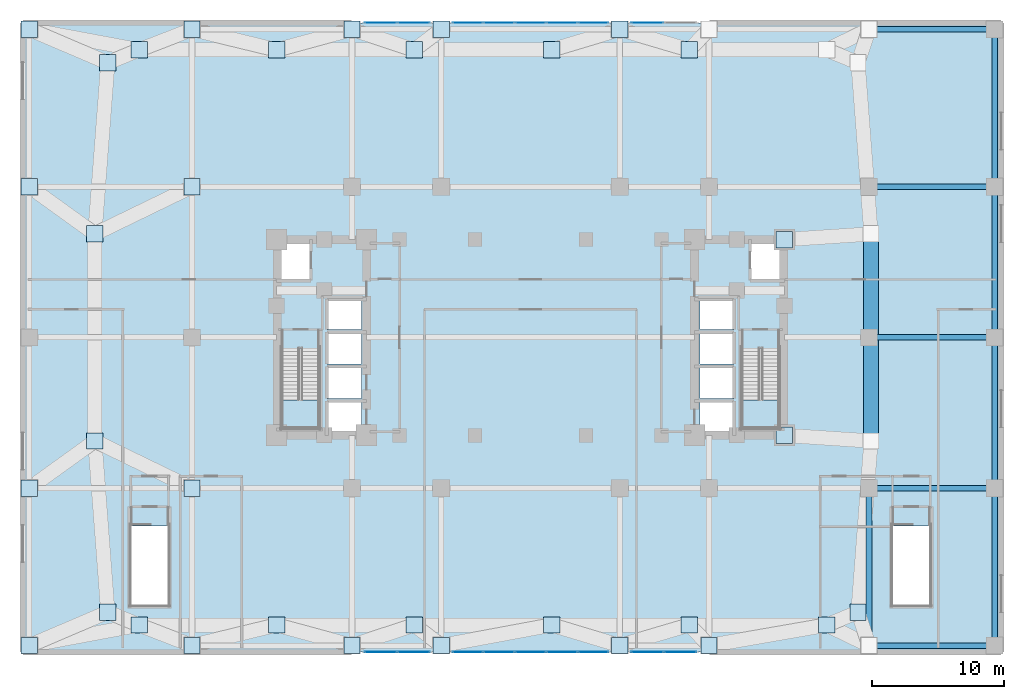
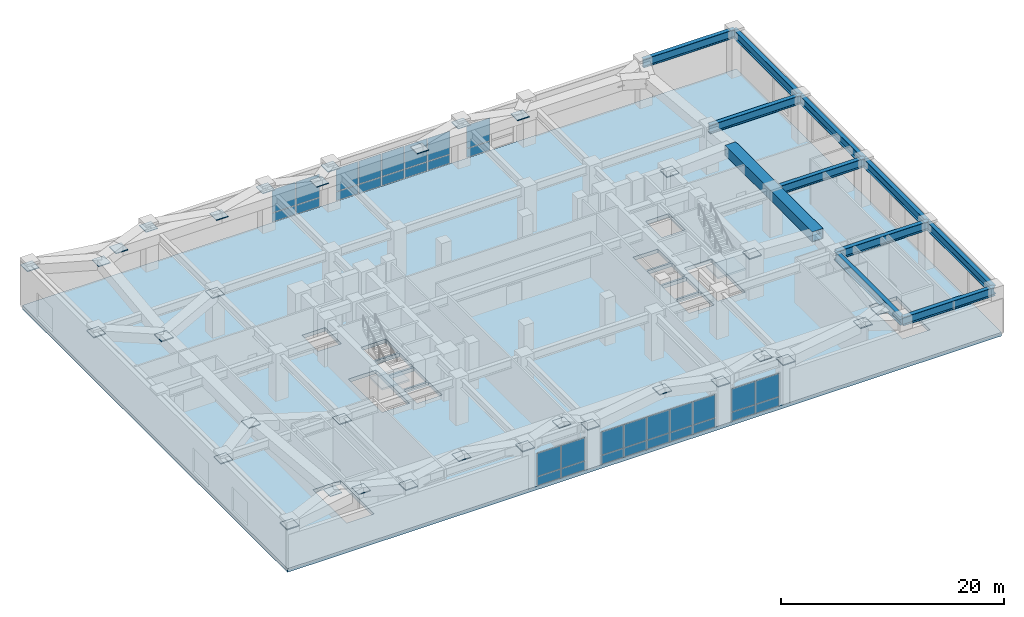
# One storey, part 14 of 20: 67 plates, 11 beams, 3 slabs, 8 elements without a shape of their own.
"""IFC4 building model written with IfcOpenShell, lengths in metres."""

from ifc_helpers import new_model, si_unit, direction, frame, origin, origin_2d, place, context, subcontext, project, spatial, polyline, rectangle, hollow_rectangle, i_section, outline, extrude, material, layer, layer_set, material_profile, profile_set, type_object, element, aggregate, save


model = new_model("IFC4")

# Units and contexts
model_context = context("Model", 3, precision=1e-05, world=origin(), true_north=direction((0.0, 1.0)))
body_context = subcontext(model_context, "Body", "Model", "MODEL_VIEW")
ifc_project = project(units=[si_unit("LENGTHUNIT", "METRE"), si_unit("AREAUNIT", "SQUARE_METRE"), si_unit("VOLUMEUNIT", "CUBIC_METRE"), si_unit("PLANEANGLEUNIT", "RADIAN"), si_unit("MASSUNIT", "GRAM", prefix="KILO")], contexts=[model_context])

# Site, building, storey
site_placement = place(None, origin())
site = spatial("IfcSite", under=ifc_project, at=site_placement, CompositionType="ELEMENT")
building_placement = place(site_placement, origin())
building = spatial("IfcBuilding", under=site, at=building_placement, Name="Voryun Gate Residences", CompositionType="ELEMENT")
storey_placement = place(building_placement, frame((0.0, 0.0, 20.800048828125)))
storey = spatial("IfcBuildingStorey", under=building, at=storey_placement, Name="L04", CompositionType="ELEMENT", Elevation=20.800048828125)

# Beams
ifc_material_1 = material(Name="Steel SM420", Category="steel")
ifc_material_profile_1 = material_profile(ifc_material_1, hollow_rectangle(XDim=1.10009765625, YDim=1.10009765625, WallThickness=0.035888671875, at=origin_2d()), Name="BOX-1100x1100x36")
ifc_profile_set_1 = profile_set([ifc_material_profile_1], Name="Steel SM420")
beam_type_1 = type_object("IfcBeamType", Name="BM_ARCH_RIB", PredefinedType="USERDEFINED", material=ifc_profile_set_1)
beam_1_placement = place(storey_placement, frame((25.75, -7.830078125, 4.39990234375), z_axis=(0.0, 1.0, 0.0), x_axis=(-1.0, 0.0, 0.0)))
element("IfcBeam", 1, at=beam_1_placement, inside=storey, type_object=beam_type_1, Name="BM-L04-B1RING-08", ObjectType="GIRDER", PredefinedType="USERDEFINED", context=body_context, shape_type="SweptSolid", body=[
    extrude(hollow_rectangle(XDim=1.10009765625, YDim=1.10009765625, WallThickness=0.035888671875, at=origin_2d()), origin(), (0.0, 0.0, 1.0), 15.66015625),
])
ifc_material_2 = material(Name="Steel SM420", Category="steel")
ifc_material_profile_2 = material_profile(ifc_material_2, i_section(OverallWidth=0.419921875, OverallDepth=0.949951171875, WebThickness=0.02001953125, FlangeThickness=0.035888671875, FilletRadius=0.01806640625, at=origin_2d()), Name="H-950x420x20x36")
ifc_profile_set_2 = profile_set([ifc_material_profile_2], Name="Steel SM420")
beam_type_2 = type_object("IfcBeamType", Name="BM_XFER_950", PredefinedType="USERDEFINED", material=ifc_profile_set_2)
for number, where, z_axis, x_axis, name in (
    (2, (25.60009765625, -23.300048828125, 4.474853515625), (1.0, 0.0, 0.0), (0.0, 1.0, 0.0), "BM-L04-GX--23.3-6"),
    (3, (25.60009765625, -11.39990234375, 4.474853515625), (1.0, 0.0, 0.0), (0.0, 1.0, 0.0), "BM-L04-GX--11.4-6"),
    (4, (25.60009765625, 0.0, 4.474853515625), (1.0, 0.0, 0.0), (0.0, 1.0, 0.0), "BM-L04-GX-+0.0-8"),
    (5, (25.60009765625, 11.39990234375, 4.474853515625), (1.0, 0.0, 0.0), (0.0, 1.0, 0.0), "BM-L04-GX-+11.4-6"),
    (6, (25.60009765625, 23.300048828125, 4.474853515625), (1.0, 0.0, 0.0), (0.0, 1.0, 0.0), "BM-L04-GX-+23.3-6"),
):
    element("IfcBeam", number, at=place(storey_placement, frame(where, z_axis=z_axis, x_axis=x_axis)), inside=storey, type_object=beam_type_2, Name=name, ObjectType="GIRDER", PredefinedType="USERDEFINED", context=body_context, shape_type="SweptSolid", body=[
        extrude(i_section(OverallWidth=0.419921875, OverallDepth=0.949951171875, WebThickness=0.02001953125, FlangeThickness=0.035888671875, FilletRadius=0.01806640625, at=origin_2d()), origin(), (0.0, 0.0, 1.0), 9.5),
    ])
for number, where, z_axis, x_axis, name in (
    (7, (25.60009765625, -23.300048828125, 4.474853515625), (0.0, 1.0, 0.0), (-1.0, 0.0, 0.0), "BM-L04-GY-+25.6-0"),
    (8, (35.10009765625, -23.300048828125, 4.474853515625), (0.0, 1.0, 0.0), (-1.0, 0.0, 0.0), "BM-L04-GY-+35.1-0"),
):
    element("IfcBeam", number, at=place(storey_placement, frame(where, z_axis=z_axis, x_axis=x_axis)), inside=storey, type_object=beam_type_2, Name=name, ObjectType="GIRDER", PredefinedType="USERDEFINED", context=body_context, shape_type="SweptSolid", body=[
        extrude(i_section(OverallWidth=0.419921875, OverallDepth=0.949951171875, WebThickness=0.02001953125, FlangeThickness=0.035888671875, FilletRadius=0.01806640625, at=origin_2d()), origin(), (0.0, 0.0, 1.0), 11.900146484375),
    ])
for number, where, z_axis, x_axis, name in (
    (9, (35.10009765625, -11.39990234375, 4.474853515625), (0.0, 1.0, 0.0), (-1.0, 0.0, 0.0), "BM-L04-GY-+35.1-1"),
    (10, (35.10009765625, 0.0, 4.474853515625), (0.0, 1.0, 0.0), (-1.0, 0.0, 0.0), "BM-L04-GY-+35.1-2"),
):
    element("IfcBeam", number, at=place(storey_placement, frame(where, z_axis=z_axis, x_axis=x_axis)), inside=storey, type_object=beam_type_2, Name=name, ObjectType="GIRDER", PredefinedType="USERDEFINED", context=body_context, shape_type="SweptSolid", body=[
        extrude(i_section(OverallWidth=0.419921875, OverallDepth=0.949951171875, WebThickness=0.02001953125, FlangeThickness=0.035888671875, FilletRadius=0.01806640625, at=origin_2d()), origin(), (0.0, 0.0, 1.0), 11.39990234375),
    ])
beam_2_placement = place(storey_placement, frame((35.10009765625, 11.39990234375, 4.474853515625), z_axis=(0.0, 1.0, 0.0), x_axis=(-1.0, 0.0, 0.0)))
element("IfcBeam", 11, at=beam_2_placement, inside=storey, type_object=beam_type_2, Name="BM-L04-GY-+35.1-3", ObjectType="GIRDER", PredefinedType="USERDEFINED", context=body_context, shape_type="SweptSolid", body=[
    extrude(i_section(OverallWidth=0.419921875, OverallDepth=0.949951171875, WebThickness=0.02001953125, FlangeThickness=0.035888671875, FilletRadius=0.01806640625, at=origin_2d()), origin(), (0.0, 0.0, 1.0), 11.900146484375),
])

# Plates
ifc_material_3 = material(Name="Steel SM355", Category="steel")
ifc_layer_1 = layer(ifc_material_3, 0.02490234375, Name="PLT_END_CAP_25")
ifc_layer_set_1 = layer_set([ifc_layer_1], Name="Steel SM355")
plate_type_1 = type_object("IfcPlateType", Name="PLT_END_CAP_25", PredefinedType="USERDEFINED", material=ifc_layer_set_1)
for number, where, z_axis, x_axis, name in (
    (12, (-29.60009765625, -21.75, 4.35986328125), (0.0, 0.0, 1.0), (1.0, 0.0, 0.0), "L04 Hollow Member End-Cap Plate EC-049"),
    (13, (-19.199951171875, -21.75, 4.35986328125), (0.0, 0.0, 1.0), (1.0, 0.0, 0.0), "L04 Hollow Member End-Cap Plate EC-050"),
    (14, (-8.800048828125, -21.75, 4.35986328125), (0.0, 0.0, 1.0), (1.0, 0.0, 0.0), "L04 Hollow Member End-Cap Plate EC-051"),
    (15, (1.60009765625, -21.75, 4.35986328125), (0.0, 0.0, 1.0), (1.0, 0.0, 0.0), "L04 Hollow Member End-Cap Plate EC-052"),
    (16, (12.0, -21.75, 4.35986328125), (0.0, 0.0, 1.0), (1.0, 0.0, 0.0), "L04 Hollow Member End-Cap Plate EC-053"),
    (17, (22.39990234375, -21.75, 4.35986328125), (0.0, 0.0, 1.0), (1.0, 0.0, 0.0), "L04 Hollow Member End-Cap Plate EC-054"),
    (18, (24.768798828125, -20.768798828125, 4.35986328125), (0.0, 0.0, 1.0), (1.0, 0.0, 0.0), "L04 Hollow Member End-Cap Plate EC-055"),
    (19, (12.0, 21.75, 4.35986328125), (0.0, 0.0, 1.0), (1.0, 0.0, 0.0), "L04 Hollow Member End-Cap Plate EC-060"),
    (20, (1.60009765625, 21.75, 4.35986328125), (0.0, 0.0, 1.0), (1.0, 0.0, 0.0), "L04 Hollow Member End-Cap Plate EC-061"),
    (21, (-8.800048828125, 21.75, 4.35986328125), (0.0, 0.0, 1.0), (1.0, 0.0, 0.0), "L04 Hollow Member End-Cap Plate EC-062"),
    (22, (-19.199951171875, 21.75, 4.35986328125), (0.0, 0.0, 1.0), (1.0, 0.0, 0.0), "L04 Hollow Member End-Cap Plate EC-063"),
    (23, (-29.60009765625, 21.75, 4.35986328125), (0.0, 0.0, 1.0), (1.0, 0.0, 0.0), "L04 Hollow Member End-Cap Plate EC-064"),
    (24, (-31.96875, 20.768798828125, 4.35986328125), (0.0, 0.0, 1.0), (1.0, 0.0, 0.0), "L04 Hollow Member End-Cap Plate EC-065"),
    (25, (-32.949951171875, 7.830078125, 4.35986328125), (0.0, 0.0, 1.0), (1.0, 0.0, 0.0), "L04 Hollow Member End-Cap Plate EC-066"),
    (26, (-32.949951171875, -7.830078125, 4.35986328125), (0.0, 0.0, 1.0), (1.0, 0.0, 0.0), "L04 Hollow Member End-Cap Plate EC-067"),
    (27, (-31.96875, -20.768798828125, 4.35986328125), (0.0, 0.0, 1.0), (1.0, 0.0, 0.0), "L04 Hollow Member End-Cap Plate EC-068"),
    (28, (-25.60009765625, -23.300048828125, 4.35986328125), (0.0, 0.0, 1.0), (1.0, 0.0, 0.0), "L04 Hollow Member End-Cap Plate EC-069"),
    (29, (-37.89990234375, -23.300048828125, 4.35986328125), (0.0, 0.0, 1.0), (1.0, 0.0, 0.0), "L04 Hollow Member End-Cap Plate EC-070"),
    (30, (-13.5, -23.300048828125, 4.35986328125), (0.0, 0.0, 1.0), (1.0, 0.0, 0.0), "L04 Hollow Member End-Cap Plate EC-071"),
    (31, (-6.75, -23.300048828125, 4.35986328125), (0.0, 0.0, 1.0), (1.0, 0.0, 0.0), "L04 Hollow Member End-Cap Plate EC-072"),
    (32, (6.75, -23.300048828125, 4.35986328125), (0.0, 0.0, 1.0), (1.0, 0.0, 0.0), "L04 Hollow Member End-Cap Plate EC-073"),
    (33, (13.5, -23.300048828125, 4.35986328125), (0.0, 0.0, 1.0), (1.0, 0.0, 0.0), "L04 Hollow Member End-Cap Plate EC-074"),
    (34, (19.199951171875, -7.39990234375, 4.35986328125), (0.0, 0.0, 1.0), (1.0, 0.0, 0.0), "L04 Hollow Member End-Cap Plate EC-076"),
    (35, (19.199951171875, 7.39990234375, 4.35986328125), (0.0, 0.0, 1.0), (1.0, 0.0, 0.0), "L04 Hollow Member End-Cap Plate EC-077"),
    (36, (6.75, 23.300048828125, 4.35986328125), (0.0, 0.0, 1.0), (1.0, 0.0, 0.0), "L04 Hollow Member End-Cap Plate EC-080"),
    (37, (-6.75, 23.300048828125, 4.35986328125), (0.0, 0.0, 1.0), (1.0, 0.0, 0.0), "L04 Hollow Member End-Cap Plate EC-081"),
    (38, (-13.5, 23.300048828125, 4.35986328125), (0.0, 0.0, 1.0), (1.0, 0.0, 0.0), "L04 Hollow Member End-Cap Plate EC-082"),
    (39, (-25.60009765625, 23.300048828125, 4.35986328125), (0.0, 0.0, 1.0), (1.0, 0.0, 0.0), "L04 Hollow Member End-Cap Plate EC-083"),
    (40, (-37.89990234375, 23.300048828125, 4.35986328125), (0.0, 0.0, 1.0), (1.0, 0.0, 0.0), "L04 Hollow Member End-Cap Plate EC-084"),
    (41, (-37.89990234375, 11.39990234375, 4.35986328125), (0.0, 0.0, 1.0), (1.0, 0.0, 0.0), "L04 Hollow Member End-Cap Plate EC-085"),
    (42, (-25.60009765625, 11.39990234375, 4.35986328125), (0.0, 0.0, 1.0), (1.0, 0.0, 0.0), "L04 Hollow Member End-Cap Plate EC-086"),
    (43, (-37.89990234375, -11.39990234375, 4.35986328125), (0.0, 0.0, 1.0), (1.0, 0.0, 0.0), "L04 Hollow Member End-Cap Plate EC-087"),
    (44, (-25.60009765625, -11.39990234375, 4.35986328125), (0.0, 0.0, 1.0), (1.0, 0.0, 0.0), "L04 Hollow Member End-Cap Plate EC-088"),
):
    element("IfcPlate", number, at=place(storey_placement, frame(where, z_axis=z_axis, x_axis=x_axis)), inside=storey, type_object=plate_type_1, Name=name, ObjectType="BASE_PLATE", PredefinedType="USERDEFINED", context=body_context, shape_type="SweptSolid", body=[
        extrude(rectangle(XDim=1.239990234375, YDim=1.239990234375, at=origin_2d()), origin(), (0.0, 0.0, 1.0), 0.080078125),
    ])

# Curtain wall, plates
ifc_material_4 = material(Name="Anodised aluminium", Category="aluminium")
ifc_layer_2 = layer(ifc_material_4, 0.219970703125, Name="CW_SYS_POD_DARK_GLASS")
ifc_layer_set_2 = layer_set([ifc_layer_2], Name="Anodised aluminium")
curtain_wall_type = type_object("IfcCurtainWallType", Name="CW_SYS_POD_DARK_GLASS", PredefinedType="NOTDEFINED", material=ifc_layer_set_2)
curtain_wall_1_placement = place(storey_placement, origin())
curtain_wall_1 = element("IfcCurtainWall", 45, at=curtain_wall_1_placement, inside=storey, type_object=curtain_wall_type, Name="Curtain wall CW1-L04-BRG-1-W", PredefinedType="NOTDEFINED")
ifc_material_5 = material(Name="Laminated low-E glass", Category="glass")
ifc_layer_3 = layer(ifc_material_5, 0.048095703125, Name="PLT_GLASS_DARK_POD")
ifc_layer_set_3 = layer_set([ifc_layer_3], Name="Laminated low-E glass")
plate_type_2 = type_object("IfcPlateType", Name="PLT_GLASS_DARK_POD", PredefinedType="CURTAIN_PANEL", material=ifc_layer_set_3)
plate_1_placement = place(storey_placement, frame((-11.322509765625, -23.800048828125, 0.06005859375), z_axis=(0.0, 0.0, 1.0), x_axis=(1.0, 0.0, 0.0)))
plate_1 = element("IfcPlate", 46, at=plate_1_placement, type_object=plate_type_2, Name="CW1 panel 1.1", PredefinedType="CURTAIN_PANEL", context=body_context, shape_type="SweptSolid", body=[
    extrude(rectangle(XDim=2.43505859375, YDim=0.028076171875, at=origin_2d()), origin(), (0.0, 0.0, 1.0), 0.9599609375),
])
plate_2_placement = place(storey_placement, frame((-11.322509765625, -23.800048828125, 1.080078125), z_axis=(0.0, 0.0, 1.0), x_axis=(1.0, 0.0, 0.0)))
plate_2 = element("IfcPlate", 47, at=plate_2_placement, type_object=plate_type_2, Name="CW1 panel 1.2", PredefinedType="CURTAIN_PANEL", context=body_context, shape_type="SweptSolid", body=[
    extrude(rectangle(XDim=2.43505859375, YDim=0.028076171875, at=origin_2d()), origin(), (0.0, 0.0, 1.0), 2.510009765625),
])
plate_3_placement = place(storey_placement, frame((-8.827392578125, -23.800048828125, 0.06005859375), z_axis=(0.0, 0.0, 1.0), x_axis=(1.0, 0.0, 0.0)))
plate_3 = element("IfcPlate", 48, at=plate_3_placement, type_object=plate_type_2, Name="CW1 panel 2.1", PredefinedType="CURTAIN_PANEL", context=body_context, shape_type="SweptSolid", body=[
    extrude(rectangle(XDim=2.43505859375, YDim=0.028076171875, at=origin_2d()), origin(), (0.0, 0.0, 1.0), 0.9599609375),
])
plate_4_placement = place(storey_placement, frame((-8.827392578125, -23.800048828125, 1.080078125), z_axis=(0.0, 0.0, 1.0), x_axis=(1.0, 0.0, 0.0)))
plate_4 = element("IfcPlate", 49, at=plate_4_placement, type_object=plate_type_2, Name="CW1 panel 2.2", PredefinedType="CURTAIN_PANEL", context=body_context, shape_type="SweptSolid", body=[
    extrude(rectangle(XDim=2.43505859375, YDim=0.028076171875, at=origin_2d()), origin(), (0.0, 0.0, 1.0), 2.510009765625),
])
aggregate(curtain_wall_1, [plate_1, plate_2, plate_3, plate_4])

curtain_wall_2_placement = place(storey_placement, origin())
curtain_wall_2 = element("IfcCurtainWall", 50, at=curtain_wall_2_placement, inside=storey, type_object=curtain_wall_type, Name="Curtain wall CW1-L04-BRG-1-C", PredefinedType="NOTDEFINED")
plate_5_placement = place(storey_placement, frame((-4.7451171875, -23.800048828125, 0.06005859375), z_axis=(0.0, 0.0, 1.0), x_axis=(1.0, 0.0, 0.0)))
plate_5 = element("IfcPlate", 51, at=plate_5_placement, type_object=plate_type_2, Name="CW1 panel 1.1", PredefinedType="CURTAIN_PANEL", context=body_context, shape_type="SweptSolid", body=[
    extrude(rectangle(XDim=2.2900390625, YDim=0.028076171875, at=origin_2d()), origin(), (0.0, 0.0, 1.0), 0.9599609375),
])
plate_6_placement = place(storey_placement, frame((-4.7451171875, -23.800048828125, 1.080078125), z_axis=(0.0, 0.0, 1.0), x_axis=(1.0, 0.0, 0.0)))
plate_6 = element("IfcPlate", 52, at=plate_6_placement, type_object=plate_type_2, Name="CW1 panel 1.2", PredefinedType="CURTAIN_PANEL", context=body_context, shape_type="SweptSolid", body=[
    extrude(rectangle(XDim=2.2900390625, YDim=0.028076171875, at=origin_2d()), origin(), (0.0, 0.0, 1.0), 2.510009765625),
])
plate_7_placement = place(storey_placement, frame((-2.3798828125, -23.800048828125, 0.06005859375), z_axis=(0.0, 0.0, 1.0), x_axis=(1.0, 0.0, 0.0)))
plate_7 = element("IfcPlate", 53, at=plate_7_placement, type_object=plate_type_2, Name="CW1 panel 2.1", PredefinedType="CURTAIN_PANEL", context=body_context, shape_type="SweptSolid", body=[
    extrude(rectangle(XDim=2.320068359375, YDim=0.028076171875, at=origin_2d()), origin(), (0.0, 0.0, 1.0), 0.9599609375),
])
plate_8_placement = place(storey_placement, frame((-2.3798828125, -23.800048828125, 1.080078125), z_axis=(0.0, 0.0, 1.0), x_axis=(1.0, 0.0, 0.0)))
plate_8 = element("IfcPlate", 54, at=plate_8_placement, type_object=plate_type_2, Name="CW1 panel 2.2", PredefinedType="CURTAIN_PANEL", context=body_context, shape_type="SweptSolid", body=[
    extrude(rectangle(XDim=2.320068359375, YDim=0.028076171875, at=origin_2d()), origin(), (0.0, 0.0, 1.0), 2.510009765625),
])
plate_9_placement = place(storey_placement, frame((0.0, -23.800048828125, 0.06005859375), z_axis=(0.0, 0.0, 1.0), x_axis=(1.0, 0.0, 0.0)))
plate_9 = element("IfcPlate", 55, at=plate_9_placement, type_object=plate_type_2, Name="CW1 panel 3.1", PredefinedType="CURTAIN_PANEL", context=body_context, shape_type="SweptSolid", body=[
    extrude(rectangle(XDim=2.320068359375, YDim=0.028076171875, at=origin_2d()), origin(), (0.0, 0.0, 1.0), 0.9599609375),
])
plate_10_placement = place(storey_placement, frame((0.0, -23.800048828125, 1.080078125), z_axis=(0.0, 0.0, 1.0), x_axis=(1.0, 0.0, 0.0)))
plate_10 = element("IfcPlate", 56, at=plate_10_placement, type_object=plate_type_2, Name="CW1 panel 3.2", PredefinedType="CURTAIN_PANEL", context=body_context, shape_type="SweptSolid", body=[
    extrude(rectangle(XDim=2.320068359375, YDim=0.028076171875, at=origin_2d()), origin(), (0.0, 0.0, 1.0), 2.510009765625),
])
plate_11_placement = place(storey_placement, frame((2.3798828125, -23.800048828125, 0.06005859375), z_axis=(0.0, 0.0, 1.0), x_axis=(1.0, 0.0, 0.0)))
plate_11 = element("IfcPlate", 57, at=plate_11_placement, type_object=plate_type_2, Name="CW1 panel 4.1", PredefinedType="CURTAIN_PANEL", context=body_context, shape_type="SweptSolid", body=[
    extrude(rectangle(XDim=2.320068359375, YDim=0.028076171875, at=origin_2d()), origin(), (0.0, 0.0, 1.0), 0.9599609375),
])
plate_12_placement = place(storey_placement, frame((2.3798828125, -23.800048828125, 1.080078125), z_axis=(0.0, 0.0, 1.0), x_axis=(1.0, 0.0, 0.0)))
plate_12 = element("IfcPlate", 58, at=plate_12_placement, type_object=plate_type_2, Name="CW1 panel 4.2", PredefinedType="CURTAIN_PANEL", context=body_context, shape_type="SweptSolid", body=[
    extrude(rectangle(XDim=2.320068359375, YDim=0.028076171875, at=origin_2d()), origin(), (0.0, 0.0, 1.0), 2.510009765625),
])
plate_13_placement = place(storey_placement, frame((4.7451171875, -23.800048828125, 0.06005859375), z_axis=(0.0, 0.0, 1.0), x_axis=(1.0, 0.0, 0.0)))
plate_13 = element("IfcPlate", 59, at=plate_13_placement, type_object=plate_type_2, Name="CW1 panel 5.1", PredefinedType="CURTAIN_PANEL", context=body_context, shape_type="SweptSolid", body=[
    extrude(rectangle(XDim=2.2900390625, YDim=0.028076171875, at=origin_2d()), origin(), (0.0, 0.0, 1.0), 0.9599609375),
])
plate_14_placement = place(storey_placement, frame((4.7451171875, -23.800048828125, 1.080078125), z_axis=(0.0, 0.0, 1.0), x_axis=(1.0, 0.0, 0.0)))
plate_14 = element("IfcPlate", 60, at=plate_14_placement, type_object=plate_type_2, Name="CW1 panel 5.2", PredefinedType="CURTAIN_PANEL", context=body_context, shape_type="SweptSolid", body=[
    extrude(rectangle(XDim=2.2900390625, YDim=0.028076171875, at=origin_2d()), origin(), (0.0, 0.0, 1.0), 2.510009765625),
])
aggregate(curtain_wall_2, [plate_5, plate_6, plate_7, plate_8, plate_9, plate_10, plate_11, plate_12, plate_13, plate_14])

curtain_wall_3_placement = place(storey_placement, origin())
curtain_wall_3 = element("IfcCurtainWall", 61, at=curtain_wall_3_placement, inside=storey, type_object=curtain_wall_type, Name="Curtain wall CW1-L04-BRG-1-E", PredefinedType="NOTDEFINED")
plate_15_placement = place(storey_placement, frame((8.827392578125, -23.800048828125, 0.06005859375), z_axis=(0.0, 0.0, 1.0), x_axis=(1.0, 0.0, 0.0)))
plate_15 = element("IfcPlate", 62, at=plate_15_placement, type_object=plate_type_2, Name="CW1 panel 1.1", PredefinedType="CURTAIN_PANEL", context=body_context, shape_type="SweptSolid", body=[
    extrude(rectangle(XDim=2.43505859375, YDim=0.028076171875, at=origin_2d()), origin(), (0.0, 0.0, 1.0), 0.9599609375),
])
plate_16_placement = place(storey_placement, frame((8.827392578125, -23.800048828125, 1.080078125), z_axis=(0.0, 0.0, 1.0), x_axis=(1.0, 0.0, 0.0)))
plate_16 = element("IfcPlate", 63, at=plate_16_placement, type_object=plate_type_2, Name="CW1 panel 1.2", PredefinedType="CURTAIN_PANEL", context=body_context, shape_type="SweptSolid", body=[
    extrude(rectangle(XDim=2.43505859375, YDim=0.028076171875, at=origin_2d()), origin(), (0.0, 0.0, 1.0), 2.510009765625),
])
plate_17_placement = place(storey_placement, frame((11.322509765625, -23.800048828125, 0.06005859375), z_axis=(0.0, 0.0, 1.0), x_axis=(1.0, 0.0, 0.0)))
plate_17 = element("IfcPlate", 64, at=plate_17_placement, type_object=plate_type_2, Name="CW1 panel 2.1", PredefinedType="CURTAIN_PANEL", context=body_context, shape_type="SweptSolid", body=[
    extrude(rectangle(XDim=2.43505859375, YDim=0.028076171875, at=origin_2d()), origin(), (0.0, 0.0, 1.0), 0.9599609375),
])
plate_18_placement = place(storey_placement, frame((11.322509765625, -23.800048828125, 1.080078125), z_axis=(0.0, 0.0, 1.0), x_axis=(1.0, 0.0, 0.0)))
plate_18 = element("IfcPlate", 65, at=plate_18_placement, type_object=plate_type_2, Name="CW1 panel 2.2", PredefinedType="CURTAIN_PANEL", context=body_context, shape_type="SweptSolid", body=[
    extrude(rectangle(XDim=2.43505859375, YDim=0.028076171875, at=origin_2d()), origin(), (0.0, 0.0, 1.0), 2.510009765625),
])
aggregate(curtain_wall_3, [plate_15, plate_16, plate_17, plate_18])

curtain_wall_4_placement = place(storey_placement, origin())
curtain_wall_4 = element("IfcCurtainWall", 66, at=curtain_wall_4_placement, inside=storey, type_object=curtain_wall_type, Name="Curtain wall CW1-L04-BRG-3-W", PredefinedType="NOTDEFINED")
plate_19_placement = place(storey_placement, frame((-11.322509765625, 23.800048828125, 0.06005859375), z_axis=(0.0, 0.0, 1.0), x_axis=(1.0, 0.0, 0.0)))
plate_19 = element("IfcPlate", 67, at=plate_19_placement, type_object=plate_type_2, Name="CW1 panel 1.1", PredefinedType="CURTAIN_PANEL", context=body_context, shape_type="SweptSolid", body=[
    extrude(rectangle(XDim=2.43505859375, YDim=0.028076171875, at=origin_2d()), origin(), (0.0, 0.0, 1.0), 0.9599609375),
])
plate_20_placement = place(storey_placement, frame((-11.322509765625, 23.800048828125, 1.080078125), z_axis=(0.0, 0.0, 1.0), x_axis=(1.0, 0.0, 0.0)))
plate_20 = element("IfcPlate", 68, at=plate_20_placement, type_object=plate_type_2, Name="CW1 panel 1.2", PredefinedType="CURTAIN_PANEL", context=body_context, shape_type="SweptSolid", body=[
    extrude(rectangle(XDim=2.43505859375, YDim=0.028076171875, at=origin_2d()), origin(), (0.0, 0.0, 1.0), 2.510009765625),
])
plate_21_placement = place(storey_placement, frame((-8.827392578125, 23.800048828125, 0.06005859375), z_axis=(0.0, 0.0, 1.0), x_axis=(1.0, 0.0, 0.0)))
plate_21 = element("IfcPlate", 69, at=plate_21_placement, type_object=plate_type_2, Name="CW1 panel 2.1", PredefinedType="CURTAIN_PANEL", context=body_context, shape_type="SweptSolid", body=[
    extrude(rectangle(XDim=2.43505859375, YDim=0.028076171875, at=origin_2d()), origin(), (0.0, 0.0, 1.0), 0.9599609375),
])
plate_22_placement = place(storey_placement, frame((-8.827392578125, 23.800048828125, 1.080078125), z_axis=(0.0, 0.0, 1.0), x_axis=(1.0, 0.0, 0.0)))
plate_22 = element("IfcPlate", 70, at=plate_22_placement, type_object=plate_type_2, Name="CW1 panel 2.2", PredefinedType="CURTAIN_PANEL", context=body_context, shape_type="SweptSolid", body=[
    extrude(rectangle(XDim=2.43505859375, YDim=0.028076171875, at=origin_2d()), origin(), (0.0, 0.0, 1.0), 2.510009765625),
])
aggregate(curtain_wall_4, [plate_19, plate_20, plate_21, plate_22])

curtain_wall_5_placement = place(storey_placement, origin())
curtain_wall_5 = element("IfcCurtainWall", 71, at=curtain_wall_5_placement, inside=storey, type_object=curtain_wall_type, Name="Curtain wall CW1-L04-BRG-3-C", PredefinedType="NOTDEFINED")
plate_23_placement = place(storey_placement, frame((-4.7451171875, 23.800048828125, 0.06005859375), z_axis=(0.0, 0.0, 1.0), x_axis=(1.0, 0.0, 0.0)))
plate_23 = element("IfcPlate", 72, at=plate_23_placement, type_object=plate_type_2, Name="CW1 panel 1.1", PredefinedType="CURTAIN_PANEL", context=body_context, shape_type="SweptSolid", body=[
    extrude(rectangle(XDim=2.2900390625, YDim=0.028076171875, at=origin_2d()), origin(), (0.0, 0.0, 1.0), 0.9599609375),
])
plate_24_placement = place(storey_placement, frame((-4.7451171875, 23.800048828125, 1.080078125), z_axis=(0.0, 0.0, 1.0), x_axis=(1.0, 0.0, 0.0)))
plate_24 = element("IfcPlate", 73, at=plate_24_placement, type_object=plate_type_2, Name="CW1 panel 1.2", PredefinedType="CURTAIN_PANEL", context=body_context, shape_type="SweptSolid", body=[
    extrude(rectangle(XDim=2.2900390625, YDim=0.028076171875, at=origin_2d()), origin(), (0.0, 0.0, 1.0), 2.510009765625),
])
plate_25_placement = place(storey_placement, frame((-2.3798828125, 23.800048828125, 0.06005859375), z_axis=(0.0, 0.0, 1.0), x_axis=(1.0, 0.0, 0.0)))
plate_25 = element("IfcPlate", 74, at=plate_25_placement, type_object=plate_type_2, Name="CW1 panel 2.1", PredefinedType="CURTAIN_PANEL", context=body_context, shape_type="SweptSolid", body=[
    extrude(rectangle(XDim=2.320068359375, YDim=0.028076171875, at=origin_2d()), origin(), (0.0, 0.0, 1.0), 0.9599609375),
])
plate_26_placement = place(storey_placement, frame((-2.3798828125, 23.800048828125, 1.080078125), z_axis=(0.0, 0.0, 1.0), x_axis=(1.0, 0.0, 0.0)))
plate_26 = element("IfcPlate", 75, at=plate_26_placement, type_object=plate_type_2, Name="CW1 panel 2.2", PredefinedType="CURTAIN_PANEL", context=body_context, shape_type="SweptSolid", body=[
    extrude(rectangle(XDim=2.320068359375, YDim=0.028076171875, at=origin_2d()), origin(), (0.0, 0.0, 1.0), 2.510009765625),
])
plate_27_placement = place(storey_placement, frame((0.0, 23.800048828125, 0.06005859375), z_axis=(0.0, 0.0, 1.0), x_axis=(1.0, 0.0, 0.0)))
plate_27 = element("IfcPlate", 76, at=plate_27_placement, type_object=plate_type_2, Name="CW1 panel 3.1", PredefinedType="CURTAIN_PANEL", context=body_context, shape_type="SweptSolid", body=[
    extrude(rectangle(XDim=2.320068359375, YDim=0.028076171875, at=origin_2d()), origin(), (0.0, 0.0, 1.0), 0.9599609375),
])
plate_28_placement = place(storey_placement, frame((0.0, 23.800048828125, 1.080078125), z_axis=(0.0, 0.0, 1.0), x_axis=(1.0, 0.0, 0.0)))
plate_28 = element("IfcPlate", 77, at=plate_28_placement, type_object=plate_type_2, Name="CW1 panel 3.2", PredefinedType="CURTAIN_PANEL", context=body_context, shape_type="SweptSolid", body=[
    extrude(rectangle(XDim=2.320068359375, YDim=0.028076171875, at=origin_2d()), origin(), (0.0, 0.0, 1.0), 2.510009765625),
])
plate_29_placement = place(storey_placement, frame((2.3798828125, 23.800048828125, 0.06005859375), z_axis=(0.0, 0.0, 1.0), x_axis=(1.0, 0.0, 0.0)))
plate_29 = element("IfcPlate", 78, at=plate_29_placement, type_object=plate_type_2, Name="CW1 panel 4.1", PredefinedType="CURTAIN_PANEL", context=body_context, shape_type="SweptSolid", body=[
    extrude(rectangle(XDim=2.320068359375, YDim=0.028076171875, at=origin_2d()), origin(), (0.0, 0.0, 1.0), 0.9599609375),
])
plate_30_placement = place(storey_placement, frame((2.3798828125, 23.800048828125, 1.080078125), z_axis=(0.0, 0.0, 1.0), x_axis=(1.0, 0.0, 0.0)))
plate_30 = element("IfcPlate", 79, at=plate_30_placement, type_object=plate_type_2, Name="CW1 panel 4.2", PredefinedType="CURTAIN_PANEL", context=body_context, shape_type="SweptSolid", body=[
    extrude(rectangle(XDim=2.320068359375, YDim=0.028076171875, at=origin_2d()), origin(), (0.0, 0.0, 1.0), 2.510009765625),
])
plate_31_placement = place(storey_placement, frame((4.7451171875, 23.800048828125, 0.06005859375), z_axis=(0.0, 0.0, 1.0), x_axis=(1.0, 0.0, 0.0)))
plate_31 = element("IfcPlate", 80, at=plate_31_placement, type_object=plate_type_2, Name="CW1 panel 5.1", PredefinedType="CURTAIN_PANEL", context=body_context, shape_type="SweptSolid", body=[
    extrude(rectangle(XDim=2.2900390625, YDim=0.028076171875, at=origin_2d()), origin(), (0.0, 0.0, 1.0), 0.9599609375),
])
plate_32_placement = place(storey_placement, frame((4.7451171875, 23.800048828125, 1.080078125), z_axis=(0.0, 0.0, 1.0), x_axis=(1.0, 0.0, 0.0)))
plate_32 = element("IfcPlate", 81, at=plate_32_placement, type_object=plate_type_2, Name="CW1 panel 5.2", PredefinedType="CURTAIN_PANEL", context=body_context, shape_type="SweptSolid", body=[
    extrude(rectangle(XDim=2.2900390625, YDim=0.028076171875, at=origin_2d()), origin(), (0.0, 0.0, 1.0), 2.510009765625),
])
aggregate(curtain_wall_5, [plate_23, plate_24, plate_25, plate_26, plate_27, plate_28, plate_29, plate_30, plate_31, plate_32])

curtain_wall_6_placement = place(storey_placement, origin())
curtain_wall_6 = element("IfcCurtainWall", 82, at=curtain_wall_6_placement, inside=storey, type_object=curtain_wall_type, Name="Curtain wall CW1-L04-BRG-3-E", PredefinedType="NOTDEFINED")
plate_33_placement = place(storey_placement, frame((8.827392578125, 23.800048828125, 0.06005859375), z_axis=(0.0, 0.0, 1.0), x_axis=(1.0, 0.0, 0.0)))
plate_33 = element("IfcPlate", 83, at=plate_33_placement, type_object=plate_type_2, Name="CW1 panel 1.1", PredefinedType="CURTAIN_PANEL", context=body_context, shape_type="SweptSolid", body=[
    extrude(rectangle(XDim=2.43505859375, YDim=0.028076171875, at=origin_2d()), origin(), (0.0, 0.0, 1.0), 0.9599609375),
])
plate_34_placement = place(storey_placement, frame((8.827392578125, 23.800048828125, 1.080078125), z_axis=(0.0, 0.0, 1.0), x_axis=(1.0, 0.0, 0.0)))
plate_34 = element("IfcPlate", 84, at=plate_34_placement, type_object=plate_type_2, Name="CW1 panel 1.2", PredefinedType="CURTAIN_PANEL", context=body_context, shape_type="SweptSolid", body=[
    extrude(rectangle(XDim=2.43505859375, YDim=0.028076171875, at=origin_2d()), origin(), (0.0, 0.0, 1.0), 2.510009765625),
])
aggregate(curtain_wall_6, [plate_33, plate_34])

# Stair, slab
ifc_material_6 = material(Name="Concrete C40/50", Category="concrete")
stair_type = type_object("IfcStairType", Name="STR_CORE_DOGLEG_1350", PredefinedType="HALF_TURN_STAIR", material=ifc_material_6)
stair_1_placement = place(storey_placement, origin())
stair_1 = element("IfcStair", 85, at=stair_1_placement, inside=storey, type_object=stair_type, Name="L04 Special Escape Stair ST-W1", PredefinedType="HALF_TURN_STAIR")
ifc_material_7 = material(Name="Concrete C40/50", Category="concrete")
ifc_layer_4 = layer(ifc_material_7, 0.199951171875, Name="SLB_STAIR_LANDING_200")
ifc_layer_set_4 = layer_set([ifc_layer_4], Name="Concrete C40/50")
slab_type_1 = type_object("IfcSlabType", Name="SLB_STAIR_LANDING_200", PredefinedType="LANDING", material=ifc_layer_set_4)
slab_1_placement = place(storey_placement, frame((0.0, 0.0, 2.39990234375)))
slab_1 = element("IfcSlab", 86, at=slab_1_placement, type_object=slab_type_1, Name="ST-W1 landing 1", PredefinedType="LANDING", context=body_context, shape_type="SweptSolid", body=[
    extrude(outline(polyline([(-18.824951171875, -4.719970703125), (-18.824951171875, -6.85009765625), (-15.97509765625, -6.85009765625), (-15.97509765625, -4.719970703125), (-18.824951171875, -4.719970703125)])), origin(), (0.0, 0.0, 1.0), 0.199951171875),
])
aggregate(stair_1, [slab_1])

stair_2_placement = place(storey_placement, origin())
stair_2 = element("IfcStair", 87, at=stair_2_placement, inside=storey, type_object=stair_type, Name="L04 Special Escape Stair ST-E1", PredefinedType="HALF_TURN_STAIR")
slab_2_placement = place(storey_placement, frame((0.0, 0.0, 2.39990234375)))
slab_2 = element("IfcSlab", 88, at=slab_2_placement, type_object=slab_type_1, Name="ST-E1 landing 1", PredefinedType="LANDING", context=body_context, shape_type="SweptSolid", body=[
    extrude(outline(polyline([(15.97509765625, -4.719970703125), (15.97509765625, -6.85009765625), (18.824951171875, -6.85009765625), (18.824951171875, -4.719970703125), (15.97509765625, -4.719970703125)])), origin(), (0.0, 0.0, 1.0), 0.199951171875),
])
aggregate(stair_2, [slab_2])

# Slab
ifc_material_8 = material(Name="Concrete C50/60", Category="concrete")
ifc_layer_5 = layer(ifc_material_8, 0.39990234375, Name="SLB_XFER_400")
ifc_layer_set_5 = layer_set([ifc_layer_5], Name="Concrete C50/60")
slab_type_2 = type_object("IfcSlabType", Name="SLB_XFER_400", PredefinedType="FLOOR", material=ifc_layer_set_5)
slab_3_placement = place(storey_placement, frame((0.0, 0.0, -0.400146484375)))
element("IfcSlab", 89, at=slab_3_placement, inside=storey, type_object=slab_type_2, Name="L04 Structural Floor Slab", PredefinedType="FLOOR", context=body_context, shape_type="SweptSolid", body=[
    extrude(outline(polyline([(-38.39990234375, 23.800048828125), (35.60009765625, 23.800048828125), (35.60009765625, -23.800048828125), (-38.39990234375, -23.800048828125), (-38.39990234375, 23.800048828125)]), holes=[polyline([(-27.375, -20.25), (-27.375, -14.239990234375), (-30.22509765625, -14.239990234375), (-30.22509765625, -20.25), (-27.375, -20.25)]), polyline([(-12.800048828125, -7.199951171875), (-12.800048828125, -4.800048828125), (-15.39990234375, -4.800048828125), (-15.39990234375, -7.199951171875), (-12.800048828125, -7.199951171875)]), polyline([(-18.824951171875, -6.85009765625), (-15.97509765625, -6.85009765625), (-15.97509765625, -0.840087890625), (-18.824951171875, -0.840087890625), (-18.824951171875, -6.85009765625)]), polyline([(-12.800048828125, -4.60009765625), (-12.800048828125, -2.199951171875), (-15.39990234375, -2.199951171875), (-15.39990234375, -4.60009765625), (-12.800048828125, -4.60009765625)]), polyline([(-12.800048828125, -2.0), (-12.800048828125, 0.39990234375), (-15.39990234375, 0.39990234375), (-15.39990234375, -2.0), (-12.800048828125, -2.0)]), polyline([(-12.800048828125, 0.60009765625), (-12.800048828125, 2.89990234375), (-15.39990234375, 2.89990234375), (-15.39990234375, 0.60009765625), (-12.800048828125, 0.60009765625)]), polyline([(-16.60009765625, 4.300048828125), (-16.60009765625, 7.199951171875), (-19.0, 7.199951171875), (-19.0, 4.300048828125), (-16.60009765625, 4.300048828125)]), polyline([(30.22509765625, -20.25), (30.22509765625, -14.239990234375), (27.375, -14.239990234375), (27.375, -20.25), (30.22509765625, -20.25)]), polyline([(15.39990234375, -7.199951171875), (15.39990234375, -4.800048828125), (12.800048828125, -4.800048828125), (12.800048828125, -7.199951171875), (15.39990234375, -7.199951171875)]), polyline([(15.97509765625, -6.85009765625), (18.824951171875, -6.85009765625), (18.824951171875, -0.840087890625), (15.97509765625, -0.840087890625), (15.97509765625, -6.85009765625)]), polyline([(15.39990234375, -4.60009765625), (15.39990234375, -2.199951171875), (12.800048828125, -2.199951171875), (12.800048828125, -4.60009765625), (15.39990234375, -4.60009765625)]), polyline([(15.39990234375, -2.0), (15.39990234375, 0.39990234375), (12.800048828125, 0.39990234375), (12.800048828125, -2.0), (15.39990234375, -2.0)]), polyline([(15.39990234375, 0.60009765625), (15.39990234375, 2.89990234375), (12.800048828125, 2.89990234375), (12.800048828125, 0.60009765625), (15.39990234375, 0.60009765625)]), polyline([(19.0, 4.300048828125), (19.0, 7.199951171875), (16.60009765625, 7.199951171875), (16.60009765625, 4.300048828125), (19.0, 4.300048828125)])]), origin(), (0.0, 0.0, 1.0), 0.400146484375),
])

save(model, "model.ifc")
